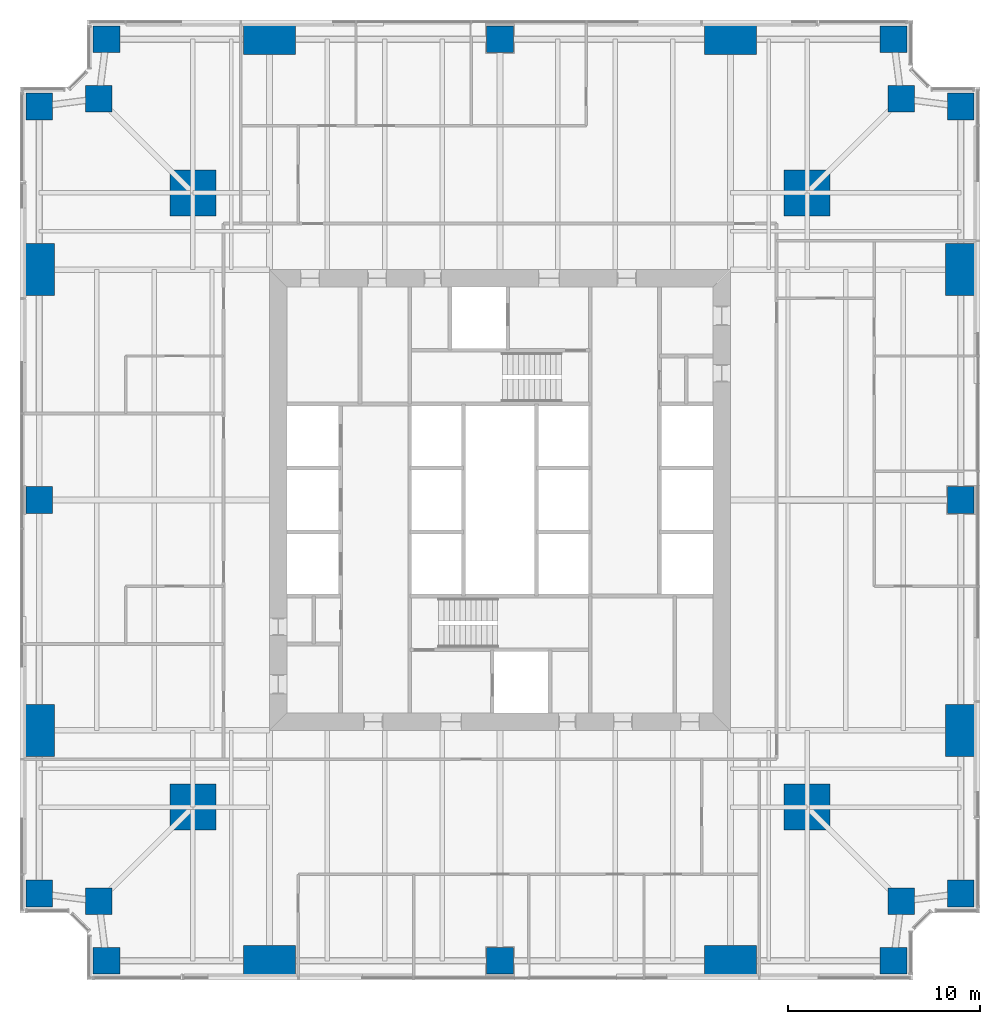
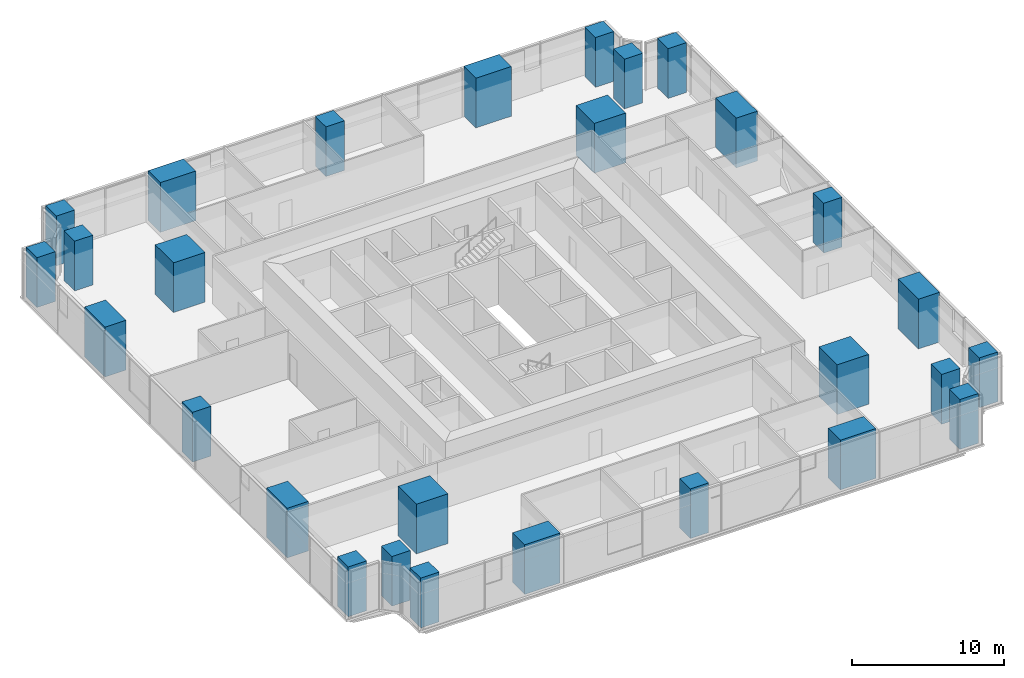
# One storey, part 1 of 16: 28 columns.
"""IFC4 building model written with IfcOpenShell, lengths in metres."""

from ifc_helpers import new_model, si_unit, direction, frame, origin, origin_2d, place, context, subcontext, project, spatial, rectangle, extrude, material, material_profile, profile_set, type_object, element, save


model = new_model("IFC4")

# Units and contexts
model_context = context("Model", 3, precision=1e-05, world=origin(), true_north=direction((0.0, 1.0)))
body_context = subcontext(model_context, "Body", "Model", "MODEL_VIEW")
ifc_project = project(units=[si_unit("LENGTHUNIT", "METRE"), si_unit("AREAUNIT", "SQUARE_METRE"), si_unit("VOLUMEUNIT", "CUBIC_METRE"), si_unit("PLANEANGLEUNIT", "RADIAN"), si_unit("MASSUNIT", "GRAM", prefix="KILO")], contexts=[model_context])

# Site, building, storey
site_placement = place(None, origin())
site = spatial("IfcSite", under=ifc_project, at=site_placement, CompositionType="ELEMENT")
building_placement = place(site_placement, origin())
building = spatial("IfcBuilding", under=site, at=building_placement, Name="Fenwick Lantern Interchange", CompositionType="ELEMENT")
storey_placement = place(building_placement, frame((0.0, 0.0, 75.0)))
storey = spatial("IfcBuildingStorey", under=building, at=storey_placement, Name="L17", CompositionType="ELEMENT", Elevation=75.0)

# Columns
ifc_material = material(Name="Concrete f'c 70 MPa", Category="concrete")
ifc_material_profile_1 = material_profile(ifc_material, rectangle(XDim=2.39990234375, YDim=2.39990234375, at=origin_2d()), Name="RC2400X2400")
ifc_profile_set_1 = profile_set([ifc_material_profile_1], Name="Concrete f'c 70 MPa")
column_type_1 = type_object("IfcColumnType", Name="MEGA COLUMN RC2400X2400", PredefinedType="COLUMN", material=ifc_profile_set_1)
for number, where, z_axis, x_axis, name in (
    (1, (9.0, 9.0, 0.0), (0.0, 0.0, 1.0), (1.0, 0.0, 0.0), "L17/M1"),
    (2, (41.0, 9.0, 0.0), (0.0, 0.0, 1.0), (1.0, 0.0, 0.0), "L17/M2"),
    (3, (41.0, 41.0, 0.0), (0.0, 0.0, 1.0), (1.0, 0.0, 0.0), "L17/M3"),
    (4, (9.0, 41.0, 0.0), (0.0, 0.0, 1.0), (1.0, 0.0, 0.0), "L17/M4"),
):
    element("IfcColumn", number, at=place(storey_placement, frame(where, z_axis=z_axis, x_axis=x_axis)), inside=storey, type_object=column_type_1, Name=name, PredefinedType="COLUMN", context=body_context, shape_type="SweptSolid", body=[
        extrude(rectangle(XDim=2.39990234375, YDim=2.39990234375, at=origin_2d()), origin(), (0.0, 0.0, 1.0), 4.0),
    ])
ifc_material_profile_2 = material_profile(ifc_material, rectangle(XDim=1.39990234375, YDim=1.39990234375, at=origin_2d()), Name="RC1400X1400")
ifc_profile_set_2 = profile_set([ifc_material_profile_2], Name="Concrete f'c 70 MPa")
column_type_2 = type_object("IfcColumnType", Name="PERIMETER COLUMN RC1400X1400", PredefinedType="COLUMN", material=ifc_profile_set_2)
for number, where, z_axis, x_axis, name in (
    (5, (4.5, 1.0, 0.0), (0.0, 0.0, 1.0), (1.0, 0.0, 0.0), "L17/CS1"),
    (6, (25.0, 1.0, 0.0), (0.0, 0.0, 1.0), (1.0, 0.0, 0.0), "L17/CS3"),
    (7, (45.5, 1.0, 0.0), (0.0, 0.0, 1.0), (1.0, 0.0, 0.0), "L17/CS5"),
    (8, (45.89990234375, 4.10009765625, 0.0), (0.0, 0.0, 1.0), (1.0, 0.0, 0.0), "L17/CSR"),
    (9, (49.0, 4.5, 0.0), (0.0, 0.0, 1.0), (1.0, 0.0, 0.0), "L17/CE1"),
    (10, (49.0, 25.0, 0.0), (0.0, 0.0, 1.0), (1.0, 0.0, 0.0), "L17/CE3"),
    (11, (49.0, 45.5, 0.0), (0.0, 0.0, 1.0), (1.0, 0.0, 0.0), "L17/CE5"),
    (12, (45.89990234375, 45.89990234375, 0.0), (0.0, 0.0, 1.0), (1.0, 0.0, 0.0), "L17/CER"),
    (13, (45.5, 49.0, 0.0), (0.0, 0.0, 1.0), (1.0, 0.0, 0.0), "L17/CN1"),
    (14, (25.0, 49.0, 0.0), (0.0, 0.0, 1.0), (1.0, 0.0, 0.0), "L17/CN3"),
    (15, (4.5, 49.0, 0.0), (0.0, 0.0, 1.0), (1.0, 0.0, 0.0), "L17/CN5"),
    (16, (4.10009765625, 45.89990234375, 0.0), (0.0, 0.0, 1.0), (1.0, 0.0, 0.0), "L17/CNR"),
    (17, (1.0, 45.5, 0.0), (0.0, 0.0, 1.0), (1.0, 0.0, 0.0), "L17/CW1"),
    (18, (1.0, 25.0, 0.0), (0.0, 0.0, 1.0), (1.0, 0.0, 0.0), "L17/CW3"),
    (19, (1.0, 4.5, 0.0), (0.0, 0.0, 1.0), (1.0, 0.0, 0.0), "L17/CW5"),
    (20, (4.10009765625, 4.10009765625, 0.0), (0.0, 0.0, 1.0), (1.0, 0.0, 0.0), "L17/CWR"),
):
    element("IfcColumn", number, at=place(storey_placement, frame(where, z_axis=z_axis, x_axis=x_axis)), inside=storey, type_object=column_type_2, Name=name, PredefinedType="COLUMN", context=body_context, shape_type="SweptSolid", body=[
        extrude(rectangle(XDim=1.39990234375, YDim=1.39990234375, at=origin_2d()), origin(), (0.0, 0.0, 1.0), 4.0),
    ])
ifc_material_profile_3 = material_profile(ifc_material, rectangle(XDim=1.60009765625, YDim=2.699951171875, at=origin_2d()), Name="RC1600X2700")
ifc_profile_set_3 = profile_set([ifc_material_profile_3], Name="Concrete f'c 70 MPa")
column_type_3 = type_object("IfcColumnType", Name="PERIMETER COLUMN RC1600X2700", PredefinedType="COLUMN", material=ifc_profile_set_3)
for number, where, z_axis, x_axis, name in (
    (21, (49.0, 13.0, 0.0), (0.0, 0.0, 1.0), (1.0, 0.0, 0.0), "L17/CE2"),
    (22, (49.0, 37.0, 0.0), (0.0, 0.0, 1.0), (1.0, 0.0, 0.0), "L17/CE4"),
    (23, (1.0, 37.0, 0.0), (0.0, 0.0, 1.0), (1.0, 0.0, 0.0), "L17/CW2"),
    (24, (1.0, 13.0, 0.0), (0.0, 0.0, 1.0), (1.0, 0.0, 0.0), "L17/CW4"),
):
    element("IfcColumn", number, at=place(storey_placement, frame(where, z_axis=z_axis, x_axis=x_axis)), inside=storey, type_object=column_type_3, Name=name, PredefinedType="COLUMN", context=body_context, shape_type="SweptSolid", body=[
        extrude(rectangle(XDim=1.60009765625, YDim=2.699951171875, at=origin_2d()), origin(), (0.0, 0.0, 1.0), 4.0),
    ])
ifc_material_profile_4 = material_profile(ifc_material, rectangle(XDim=2.699951171875, YDim=1.60009765625, at=origin_2d()), Name="RC2700X1600")
ifc_profile_set_4 = profile_set([ifc_material_profile_4], Name="Concrete f'c 70 MPa")
column_type_4 = type_object("IfcColumnType", Name="PERIMETER COLUMN RC2700X1600", PredefinedType="COLUMN", material=ifc_profile_set_4)
for number, where, z_axis, x_axis, name in (
    (25, (13.0, 1.0, 0.0), (0.0, 0.0, 1.0), (1.0, 0.0, 0.0), "L17/CS2"),
    (26, (37.0, 1.0, 0.0), (0.0, 0.0, 1.0), (1.0, 0.0, 0.0), "L17/CS4"),
    (27, (37.0, 49.0, 0.0), (0.0, 0.0, 1.0), (1.0, 0.0, 0.0), "L17/CN2"),
    (28, (13.0, 49.0, 0.0), (0.0, 0.0, 1.0), (1.0, 0.0, 0.0), "L17/CN4"),
):
    element("IfcColumn", number, at=place(storey_placement, frame(where, z_axis=z_axis, x_axis=x_axis)), inside=storey, type_object=column_type_4, Name=name, PredefinedType="COLUMN", context=body_context, shape_type="SweptSolid", body=[
        extrude(rectangle(XDim=2.699951171875, YDim=1.60009765625, at=origin_2d()), origin(), (0.0, 0.0, 1.0), 4.0),
    ])

save(model, "model.ifc")
